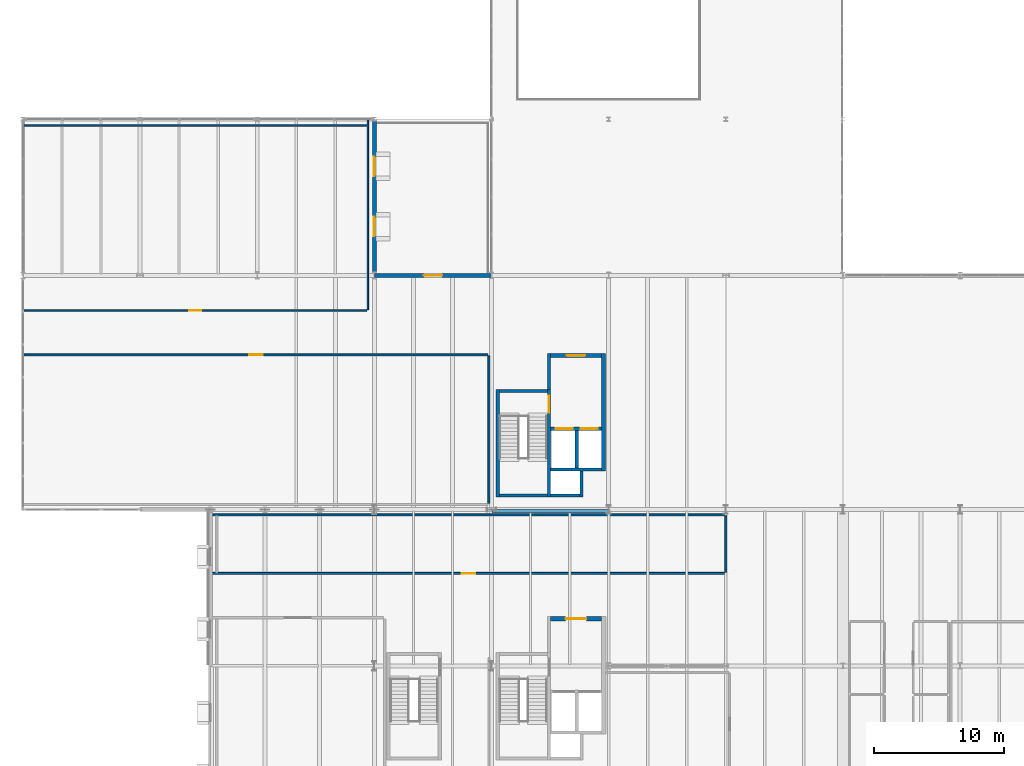
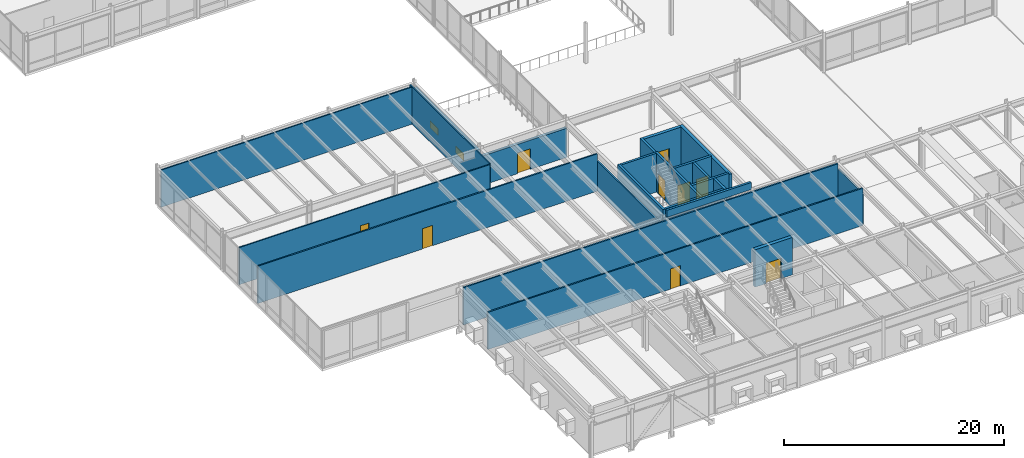
# One storey, part 104 of 115: 24 walls, 9 doors, 2 windows, 11 openings.
"""IFC4 building model written with IfcOpenShell, lengths in metres."""

from ifc_helpers import new_model, si_unit, direction, frame, frame_2d, origin, place, context, subcontext, project, spatial, rectangle, extrude, material, layer, layer_set, type_object, element, fill, save


model = new_model("IFC4")

# Units and contexts
model_context = context("Model", 3, precision=1e-05, world=origin(), true_north=direction((0.0, 1.0)))
body_context = subcontext(model_context, "Body", "Model", "MODEL_VIEW")
ifc_project = project(units=[si_unit("LENGTHUNIT", "METRE"), si_unit("AREAUNIT", "SQUARE_METRE"), si_unit("VOLUMEUNIT", "CUBIC_METRE"), si_unit("PLANEANGLEUNIT", "RADIAN"), si_unit("MASSUNIT", "GRAM", prefix="KILO")], contexts=[model_context])

# Site, building, storey
site_placement = place(None, origin())
site = spatial("IfcSite", under=ifc_project, at=site_placement, CompositionType="ELEMENT")
building_placement = place(site_placement, origin())
building = spatial("IfcBuilding", under=site, at=building_placement, Name="Montelvaro Courts of Justice", CompositionType="ELEMENT")
storey_placement = place(building_placement, frame((0.0, 0.0, 9.89990234375)))
storey = spatial("IfcBuildingStorey", under=building, at=storey_placement, Name="L02", CompositionType="ELEMENT", Elevation=9.89990234375)

# Wall, opening, door
ifc_material_1 = material(Name="Gypsum board on metal stud")
ifc_layer_1 = layer(ifc_material_1, 0.14990234375)
ifc_layer_set_1 = layer_set([ifc_layer_1], Name="Gypsum board on metal stud")
wall_type_1 = type_object("IfcWallType", Name="ChambersPartition_150", PredefinedType="PARTITIONING", material=ifc_layer_set_1)
wall_1_placement = place(storey_placement, frame((18.074951171875, 35.89990234375, 0.0), z_axis=(0.0, 0.0, 1.0), x_axis=(1.0, 0.0, 0.0)))
wall_1 = element("IfcWall", 1, at=wall_1_placement, inside=storey, type_object=wall_type_1, Name="Interior Partition IW-04 (L02)", PredefinedType="PARTITIONING", context=body_context, shape_type="SweptSolid", body=[
    extrude(rectangle(XDim=35.64501953125, YDim=0.14990234375, at=frame_2d((17.822509765625, 0.0))), origin(), (0.0, 0.0, 1.0), 4.14013671875),
])
opening_1_placement = place(wall_1_placement, frame((17.297119140625, 0.0, 0.0)))
opening_1 = element("IfcOpeningElement", 2, at=opening_1_placement, cuts=wall_1, Name="Opening D-L02-091", PredefinedType="OPENING", context=body_context, shape_type="SweptSolid", body=[
    extrude(rectangle(XDim=1.050048828125, YDim=2.25, at=frame_2d((0.52490234375, 1.125))), frame((0.0, 0.08984375, 0.0), z_axis=(0.0, -1.0, 0.0), x_axis=(1.0, 0.0, 0.0)), (0.0, 0.0, 1.0), 0.1796875),
])
ifc_material_2 = material(Name="Acoustic oak timber veneer", Category="wood")
door_type_1 = type_object("IfcDoorType", Name="ChamberDoor_105x225", OperationType="NOTDEFINED", PredefinedType="DOOR", material=ifc_material_2)
door_1_placement = place(opening_1_placement, frame((1.050048828125, 0.0, 0.0), z_axis=(0.0, 0.0, 1.0), x_axis=(-1.0, 0.0, 0.0)))
door_1 = element("IfcDoor", 3, at=door_1_placement, inside=storey, type_object=door_type_1, Name="Interior Door D-L02-091 (Law Library Rare Collections Room)", OperationType="SINGLE_SWING_LEFT", OverallHeight=2.25, OverallWidth=1.050048828125, PredefinedType="DOOR", context=body_context, shape_type="SweptSolid", body=[
    extrude(rectangle(XDim=1.050048828125, YDim=2.25, at=frame_2d((0.52490234375, 1.125))), frame((0.0, 0.02490234375, 0.0), z_axis=(0.0, -1.0, 0.0), x_axis=(1.0, 0.0, 0.0)), (0.0, 0.0, 1.0), 0.050048828125),
])
fill(opening_1, door_1)

# Walls
wall_2_placement = place(storey_placement, frame((53.800048828125, 35.820068359375, 0.0), z_axis=(0.0, 0.0, 1.0), x_axis=(0.0, -1.0, 0.0)))
element("IfcWall", 4, at=wall_2_placement, inside=storey, type_object=wall_type_1, Name="Interior Partition IW-04 (L02)", PredefinedType="PARTITIONING", context=body_context, shape_type="SweptSolid", body=[
    extrude(rectangle(XDim=11.340087890625, YDim=0.14990234375, at=frame_2d((5.669921875, 0.0))), origin(), (0.0, 0.0, 1.0), 3.35498046875),
])
wall_3_placement = place(storey_placement, frame((32.544921875, 23.60009765625, 0.0), z_axis=(0.0, 0.0, 1.0), x_axis=(1.0, 0.0, 0.0)))
element("IfcWall", 5, at=wall_3_placement, inside=storey, type_object=wall_type_1, Name="Interior Partition IW-04 (L02)", PredefinedType="PARTITIONING", context=body_context, shape_type="SweptSolid", body=[
    extrude(rectangle(XDim=39.375, YDim=0.14990234375, at=frame_2d((19.6875, 0.0))), origin(), (0.0, 0.0, 1.0), 4.14013671875),
])
wall_4_placement = place(storey_placement, frame((72.0, 23.52001953125, 0.0), z_axis=(0.0, 0.0, 1.0), x_axis=(0.0, -1.0, 0.0)))
element("IfcWall", 6, at=wall_4_placement, inside=storey, type_object=wall_type_1, Name="Interior Partition IW-04 (L02)", PredefinedType="PARTITIONING", context=body_context, shape_type="SweptSolid", body=[
    extrude(rectangle(XDim=4.340087890625, YDim=0.14990234375, at=frame_2d((2.169921875, 0.0))), origin(), (0.0, 0.0, 1.0), 3.5751953125),
])

# Wall, opening, door
wall_5_placement = place(storey_placement, frame((71.919921875, 19.10009765625, 0.0), z_axis=(0.0, 0.0, 1.0), x_axis=(-1.0, 0.0, 0.0)))
wall_5 = element("IfcWall", 7, at=wall_5_placement, inside=storey, type_object=wall_type_1, Name="Interior Partition IW-04 (L02)", PredefinedType="PARTITIONING", context=body_context, shape_type="SweptSolid", body=[
    extrude(rectangle(XDim=39.375, YDim=0.14990234375, at=frame_2d((19.6875, 0.0))), origin(), (0.0, 0.0, 1.0), 4.14013671875),
])
opening_2_placement = place(wall_5_placement, frame((19.1630859375, 0.0, 0.0)))
opening_2 = element("IfcOpeningElement", 8, at=opening_2_placement, cuts=wall_5, Name="Opening D-L02-098", PredefinedType="OPENING", context=body_context, shape_type="SweptSolid", body=[
    extrude(rectangle(XDim=1.050048828125, YDim=2.25, at=frame_2d((0.52490234375, 1.125))), frame((0.0, 0.08984375, 0.0), z_axis=(0.0, -1.0, 0.0), x_axis=(1.0, 0.0, 0.0)), (0.0, 0.0, 1.0), 0.1796875),
])
door_2_placement = place(opening_2_placement, origin())
door_2 = element("IfcDoor", 9, at=door_2_placement, inside=storey, type_object=door_type_1, Name="Interior Door D-L02-098 (Civil Clerks' Office West L02)", OperationType="SINGLE_SWING_LEFT", OverallHeight=2.25, OverallWidth=1.050048828125, PredefinedType="DOOR", context=body_context, shape_type="SweptSolid", body=[
    extrude(rectangle(XDim=1.050048828125, YDim=2.25, at=frame_2d((0.52490234375, 1.125))), frame((0.0, 0.02490234375, 0.0), z_axis=(0.0, -1.0, 0.0), x_axis=(1.0, 0.0, 0.0)), (0.0, 0.0, 1.0), 0.050048828125),
])
fill(opening_2, door_2)

ifc_material_3 = material(Name="Concrete C40/50", Category="concrete")
ifc_layer_2 = layer(ifc_material_3, 0.320068359375)
ifc_layer_set_2 = layer_set([ifc_layer_2], Name="Concrete C40/50")
wall_type_2 = type_object("IfcWallType", Name="CoreWall_320", PredefinedType="SHEAR", material=ifc_layer_set_2)
wall_6_placement = place(storey_placement, frame((58.5400390625, 35.840087890625, 0.0), z_axis=(0.0, 0.0, 1.0), x_axis=(1.0, 0.0, 0.0)))
wall_6 = element("IfcWall", 10, at=wall_6_placement, inside=storey, type_object=wall_type_2, Name="Core Shear Wall CW-02 K5-N (L02)", PredefinedType="SHEAR", context=body_context, shape_type="SweptSolid", body=[
    extrude(rectangle(XDim=3.89990234375, YDim=0.320068359375, at=frame_2d((1.949951171875, 0.0))), origin(), (0.0, 0.0, 1.0), 4.16015625),
])
opening_3_placement = place(wall_6_placement, frame((1.22509765625, 0.0, 0.0)))
opening_3 = element("IfcOpeningElement", 11, at=opening_3_placement, cuts=wall_6, Name="Opening DL-L02-K5", PredefinedType="OPENING", context=body_context, shape_type="SweptSolid", body=[
    extrude(rectangle(XDim=1.449951171875, YDim=2.199951171875, at=frame_2d((0.72509765625, 1.10009765625))), frame((0.0, 0.1748046875, 0.0), z_axis=(0.0, -1.0, 0.0), x_axis=(1.0, 0.0, 0.0)), (0.0, 0.0, 1.0), 0.349853515625),
])
ifc_material_4 = material(Name="Galvanised steel S355 security door", Category="steel")
door_type_2 = type_object("IfcDoorType", Name="LobbyFireDoor_145x220", OperationType="DOUBLE_DOOR_SINGLE_SWING", PredefinedType="DOOR", material=ifc_material_4)
door_3_placement = place(opening_3_placement, origin())
door_3 = element("IfcDoor", 12, at=door_3_placement, inside=storey, type_object=door_type_2, Name="Core Lobby Fire Door DL-L02-K5", OperationType="DOUBLE_DOOR_SINGLE_SWING", OverallHeight=2.199951171875, OverallWidth=1.449951171875, PredefinedType="DOOR", context=body_context, shape_type="SweptSolid", body=[
    extrude(rectangle(XDim=1.449951171875, YDim=2.199951171875, at=frame_2d((0.72509765625, 1.10009765625))), frame((0.0, 0.02490234375, 0.0), z_axis=(0.0, -1.0, 0.0), x_axis=(1.0, 0.0, 0.0)), (0.0, 0.0, 1.0), 0.050048828125),
])
fill(opening_3, door_3)

# Wall
wall_7_placement = place(storey_placement, frame((62.60009765625, 26.9599609375, 0.0), z_axis=(0.0, 0.0, 1.0), x_axis=(0.0, 1.0, 0.0)))
element("IfcWall", 13, at=wall_7_placement, inside=storey, type_object=wall_type_2, Name="Core Shear Wall CW-02 K5-E (L02)", PredefinedType="SHEAR", context=body_context, shape_type="SweptSolid", body=[
    extrude(rectangle(XDim=9.0400390625, YDim=0.320068359375, at=frame_2d((4.52001953125, 0.0))), origin(), (0.0, 0.0, 1.0), 4.16015625),
])

# Wall, opening, door
ifc_layer_3 = layer(ifc_material_3, 0.360107421875)
ifc_layer_set_3 = layer_set([ifc_layer_3], Name="Concrete C40/50")
wall_type_3 = type_object("IfcWallType", Name="CoreWall_360", PredefinedType="SHEAR", material=ifc_layer_set_3)
wall_8_placement = place(storey_placement, frame((58.5400390625, 15.6201171875, 0.0), z_axis=(0.0, 0.0, 1.0), x_axis=(1.0, 0.0, 0.0)))
wall_8 = element("IfcWall", 14, at=wall_8_placement, inside=storey, type_object=wall_type_3, Name="Core Shear Wall CW-01 K1-N (L02)", PredefinedType="SHEAR", context=body_context, shape_type="SweptSolid", body=[
    extrude(rectangle(XDim=3.89990234375, YDim=0.360107421875, at=frame_2d((1.949951171875, 0.0))), origin(), (0.0, 0.0, 1.0), 4.16015625),
])
opening_4_placement = place(wall_8_placement, frame((1.14990234375, 0.0, 0.0)))
opening_4 = element("IfcOpeningElement", 15, at=opening_4_placement, cuts=wall_8, Name="Opening DL-L02-K1", PredefinedType="OPENING", context=body_context, shape_type="SweptSolid", body=[
    extrude(rectangle(XDim=1.60009765625, YDim=2.25, at=frame_2d((0.800048828125, 1.125))), frame((0.0, 0.19482421875, 0.0), z_axis=(0.0, -1.0, 0.0), x_axis=(1.0, 0.0, 0.0)), (0.0, 0.0, 1.0), 0.389892578125),
])
door_type_3 = type_object("IfcDoorType", Name="LobbyFireDoor_160x225", OperationType="DOUBLE_DOOR_SINGLE_SWING", PredefinedType="DOOR", material=ifc_material_4)
door_4_placement = place(opening_4_placement, origin())
door_4 = element("IfcDoor", 16, at=door_4_placement, inside=storey, type_object=door_type_3, Name="Core Lobby Fire Door DL-L02-K1", OperationType="DOUBLE_DOOR_SINGLE_SWING", OverallHeight=2.25, OverallWidth=1.60009765625, PredefinedType="DOOR", context=body_context, shape_type="SweptSolid", body=[
    extrude(rectangle(XDim=1.60009765625, YDim=2.25, at=frame_2d((0.800048828125, 1.125))), frame((0.0, 0.02490234375, 0.0), z_axis=(0.0, -1.0, 0.0), x_axis=(1.0, 0.0, 0.0)), (0.0, 0.0, 1.0), 0.050048828125),
])
fill(opening_4, door_4)

ifc_material_5 = material(Name="White mineral precast concrete C45/55", Category="concrete")
ifc_layer_4 = layer(ifc_material_5, 0.300048828125)
ifc_layer_set_4 = layer_set([ifc_layer_4], Name="White mineral precast concrete C45/55")
wall_type_4 = type_object("IfcWallType", Name="ExtWall_GFRC_300", PredefinedType="SOLIDWALL", material=ifc_layer_set_4)
wall_9_placement = place(storey_placement, frame((53.991943359375, 42.0, 0.0), z_axis=(0.0, 0.0, 1.0), x_axis=(-1.0, 0.0, 0.0)))
wall_9 = element("IfcWall", 17, at=wall_9_placement, inside=storey, type_object=wall_type_4, Name="Exterior Facade Wall EW-02 (L02)", PredefinedType="SOLIDWALL", context=body_context, shape_type="SweptSolid", body=[
    extrude(rectangle(XDim=8.98388671875, YDim=0.300048828125, at=frame_2d((4.491943359375, 0.0))), origin(), (0.0, 0.0, 1.0), 3.255126953125),
])
opening_5_placement = place(wall_9_placement, frame((3.7919921875, 0.0, 0.0)))
opening_5 = element("IfcOpeningElement", 18, at=opening_5_placement, cuts=wall_9, Name="Opening DT-L02-02", PredefinedType="OPENING", context=body_context, shape_type="SweptSolid", body=[
    extrude(rectangle(XDim=1.39990234375, YDim=2.300048828125, at=frame_2d((0.699951171875, 1.14990234375))), frame((0.0, 0.1650390625, 0.0), z_axis=(0.0, -1.0, 0.0), x_axis=(1.0, 0.0, 0.0)), (0.0, 0.0, 1.0), 0.329833984375),
])
ifc_material_6 = material(Name="Anodised aluminium and laminated safety glass", Category="aluminium")
door_type_4 = type_object("IfcDoorType", Name="ExtDoor_Ter_140x230", OperationType="DOUBLE_DOOR_SINGLE_SWING", PredefinedType="DOOR", material=ifc_material_6)
door_5_placement = place(opening_5_placement, frame((1.39990234375, 0.0, 0.0), z_axis=(0.0, 0.0, 1.0), x_axis=(-1.0, 0.0, 0.0)))
door_5 = element("IfcDoor", 19, at=door_5_placement, inside=storey, type_object=door_type_4, Name="Terrace Access Door DT-L02-02", OperationType="DOUBLE_DOOR_SINGLE_SWING", OverallHeight=2.300048828125, OverallWidth=1.39990234375, PredefinedType="DOOR", context=body_context, shape_type="SweptSolid", body=[
    extrude(rectangle(XDim=1.39990234375, YDim=2.300048828125, at=frame_2d((0.699951171875, 1.14990234375))), frame((0.0, 0.02490234375, 0.0), z_axis=(0.0, -1.0, 0.0), x_axis=(1.0, 0.0, 0.0)), (0.0, 0.0, 1.0), 0.050048828125),
])
fill(opening_5, door_5)

# Wall, openings, windows
wall_10_placement = place(storey_placement, frame((45.0, 42.27294921875, 0.0), z_axis=(0.0, 0.0, 1.0), x_axis=(0.0, 1.0, 0.0)))
wall_10 = element("IfcWall", 20, at=wall_10_placement, inside=storey, type_object=wall_type_4, Name="Exterior Facade Wall EW-02 (L02)", PredefinedType="SOLIDWALL", context=body_context, shape_type="SweptSolid", body=[
    extrude(rectangle(XDim=11.5791015625, YDim=0.300048828125, at=frame_2d((5.78955078125, 0.0))), origin(), (0.0, 0.0, 1.0), 3.715087890625),
])
opening_6_placement = place(wall_10_placement, frame((2.72412109375, 0.0, 0.85009765625)))
opening_6 = element("IfcOpeningElement", 21, at=opening_6_placement, cuts=wall_10, Name="Opening WE-29", PredefinedType="OPENING", context=body_context, shape_type="SweptSolid", body=[
    extrude(rectangle(XDim=1.5, YDim=0.75, at=frame_2d((0.75, 0.375))), frame((0.0, 0.1650390625, 0.0), z_axis=(0.0, -1.0, 0.0), x_axis=(1.0, 0.0, 0.0)), (0.0, 0.0, 1.0), 0.329833984375),
])
opening_7_placement = place(wall_10_placement, frame((7.35498046875, 0.0, 0.85009765625)))
opening_7 = element("IfcOpeningElement", 22, at=opening_7_placement, cuts=wall_10, Name="Opening WE-29", PredefinedType="OPENING", context=body_context, shape_type="SweptSolid", body=[
    extrude(rectangle(XDim=1.5, YDim=0.75, at=frame_2d((0.75, 0.375))), frame((0.0, 0.1650390625, 0.0), z_axis=(0.0, -1.0, 0.0), x_axis=(1.0, 0.0, 0.0)), (0.0, 0.0, 1.0), 0.329833984375),
])
ifc_material_7 = material(Name="Low-E solar control double glazing", Category="glass")
window_type = type_object("IfcWindowType", Name="Win_Slot_150x075", PartitioningType="SINGLE_PANEL", PredefinedType="WINDOW", material=ifc_material_7)
window_1_placement = place(opening_6_placement, origin())
window_1 = element("IfcWindow", 23, at=window_1_placement, inside=storey, type_object=window_type, Name="Window W-L02-107", OverallHeight=0.75, OverallWidth=1.5, PartitioningType="SINGLE_PANEL", PredefinedType="WINDOW", context=body_context, shape_type="SweptSolid", body=[
    extrude(rectangle(XDim=1.5, YDim=0.75, at=frame_2d((0.75, 0.375))), frame((0.0, 0.030029296875, 0.0), z_axis=(0.0, -1.0, 0.0), x_axis=(1.0, 0.0, 0.0)), (0.0, 0.0, 1.0), 0.06005859375),
])
fill(opening_6, window_1)
window_2_placement = place(opening_7_placement, origin())
window_2 = element("IfcWindow", 24, at=window_2_placement, inside=storey, type_object=window_type, Name="Window W-L02-108", OverallHeight=0.75, OverallWidth=1.5, PartitioningType="SINGLE_PANEL", PredefinedType="WINDOW", context=body_context, shape_type="SweptSolid", body=[
    extrude(rectangle(XDim=1.5, YDim=0.75, at=frame_2d((0.75, 0.375))), frame((0.0, 0.030029296875, 0.0), z_axis=(0.0, -1.0, 0.0), x_axis=(1.0, 0.0, 0.0)), (0.0, 0.0, 1.0), 0.06005859375),
])
fill(opening_7, window_2)

# Wall
ifc_layer_5 = layer(ifc_material_1, 0.1201171875)
ifc_layer_set_5 = layer_set([ifc_layer_5], Name="Gypsum board on metal stud")
wall_type_5 = type_object("IfcWallType", Name="OfficePartition_120", PredefinedType="PARTITIONING", material=ifc_layer_set_5)
wall_11_placement = place(storey_placement, frame((44.5, 53.925048828125, 0.0), z_axis=(0.0, 0.0, 1.0), x_axis=(0.0, -1.0, 0.0)))
element("IfcWall", 25, at=wall_11_placement, inside=storey, type_object=wall_type_5, Name="Interior Partition IW-05 (L02)", PredefinedType="PARTITIONING", context=body_context, shape_type="SweptSolid", body=[
    extrude(rectangle(XDim=14.545166015625, YDim=0.1201171875, at=frame_2d((7.2724609375, 0.0))), origin(), (0.0, 0.0, 1.0), 4.14013671875),
])

# Wall, opening, door
wall_12_placement = place(storey_placement, frame((44.419921875, 39.300048828125, 0.0), z_axis=(0.0, 0.0, 1.0), x_axis=(-1.0, 0.0, 0.0)))
wall_12 = element("IfcWall", 26, at=wall_12_placement, inside=storey, type_object=wall_type_5, Name="Interior Partition IW-05 (L02)", PredefinedType="PARTITIONING", context=body_context, shape_type="SweptSolid", body=[
    extrude(rectangle(XDim=26.344970703125, YDim=0.1201171875, at=frame_2d((13.17236328125, 0.0))), origin(), (0.0, 0.0, 1.0), 4.14013671875),
])
opening_8_placement = place(wall_12_placement, frame((12.722900390625, 0.0, 0.0)))
opening_8 = element("IfcOpeningElement", 27, at=opening_8_placement, cuts=wall_12, Name="Opening D-L02-092", PredefinedType="OPENING", context=body_context, shape_type="SweptSolid", body=[
    extrude(rectangle(XDim=0.89990234375, YDim=2.10009765625, at=frame_2d((0.449951171875, 1.050048828125))), frame((0.0, 0.074951171875, 0.0), z_axis=(0.0, -1.0, 0.0), x_axis=(1.0, 0.0, 0.0)), (0.0, 0.0, 1.0), 0.14990234375),
])
door_type_5 = type_object("IfcDoorType", Name="OfficeDoor_090x210", OperationType="NOTDEFINED", PredefinedType="DOOR", material=ifc_material_2)
door_6_placement = place(opening_8_placement, origin())
door_6 = element("IfcDoor", 28, at=door_6_placement, inside=storey, type_object=door_type_5, Name="Interior Door D-L02-092 (Judicial Study Carrels Hall)", OperationType="SINGLE_SWING_RIGHT", OverallHeight=2.10009765625, OverallWidth=0.89990234375, PredefinedType="DOOR", context=body_context, shape_type="SweptSolid", body=[
    extrude(rectangle(XDim=0.89990234375, YDim=2.10009765625, at=frame_2d((0.449951171875, 1.050048828125))), frame((0.0, 0.02490234375, 0.0), z_axis=(0.0, -1.0, 0.0), x_axis=(1.0, 0.0, 0.0)), (0.0, 0.0, 1.0), 0.050048828125),
])
fill(opening_8, door_6)

# Walls
wall_13_placement = place(storey_placement, frame((18.074951171875, 53.5, 0.0), z_axis=(0.0, 0.0, 1.0), x_axis=(1.0, 0.0, 0.0)))
element("IfcWall", 29, at=wall_13_placement, inside=storey, type_object=wall_type_5, Name="Interior Partition IW-05 (L02)", PredefinedType="PARTITIONING", context=body_context, shape_type="SweptSolid", body=[
    extrude(rectangle(XDim=26.3701171875, YDim=0.1201171875, at=frame_2d((13.18505859375, 0.0))), origin(), (0.0, 0.0, 1.0), 4.14013671875),
])
ifc_layer_6 = layer(ifc_material_5, 0.239990234375)
ifc_layer_set_6 = layer_set([ifc_layer_6], Name="White mineral precast concrete C45/55")
wall_type_6 = type_object("IfcWallType", Name="ParapetWall_240", PredefinedType="PARAPET", material=ifc_layer_set_6)
wall_14_placement = place(storey_placement, frame((54.06005859375, 23.8798828125, 4.280029296875), z_axis=(0.0, 0.0, 1.0), x_axis=(1.0, 0.0, 0.0)))
element("IfcWall", 30, at=wall_14_placement, inside=storey, type_object=wall_type_6, Name="Roof Parapet PW-01 L02-019", PredefinedType="PARAPET", context=body_context, shape_type="SweptSolid", body=[
    extrude(rectangle(XDim=8.8798828125, YDim=0.239990234375, at=frame_2d((4.43994140625, 0.0))), origin(), (0.0, 0.0, 1.0), 0.77001953125),
])
ifc_material_8 = material(Name="Concrete C35/45", Category="concrete")
ifc_layer_7 = layer(ifc_material_8, 0.239990234375)
ifc_layer_set_7 = layer_set([ifc_layer_7], Name="Concrete C35/45")
wall_type_7 = type_object("IfcWallType", Name="ShaftWall_240", PredefinedType="SHEAR", material=ifc_layer_set_7)
wall_15_placement = place(storey_placement, frame((54.47998046875, 24.9599609375, 0.0), z_axis=(0.0, 0.0, 1.0), x_axis=(0.0, 1.0, 0.0)))
element("IfcWall", 31, at=wall_15_placement, inside=storey, type_object=wall_type_7, Name="Protected Stair Structural Wall ST-W1-W (L02)", PredefinedType="SHEAR", context=body_context, shape_type="SweptSolid", body=[
    extrude(rectangle(XDim=8.280029296875, YDim=0.239990234375, at=frame_2d((4.14013671875, 0.0))), origin(), (0.0, 0.0, 1.0), 4.31005859375),
])

# Wall, opening, door
wall_16_placement = place(storey_placement, frame((58.419921875, 24.9599609375, 0.0), z_axis=(0.0, 0.0, 1.0), x_axis=(0.0, 1.0, 0.0)))
wall_16 = element("IfcWall", 32, at=wall_16_placement, inside=storey, type_object=wall_type_7, Name="Protected Stair Structural Wall ST-W1-E (L02)", PredefinedType="SHEAR", context=body_context, shape_type="SweptSolid", body=[
    extrude(rectangle(XDim=8.280029296875, YDim=0.239990234375, at=frame_2d((4.14013671875, 0.0))), origin(), (0.0, 0.0, 1.0), 4.31005859375),
])
opening_9_placement = place(wall_16_placement, frame((6.489990234375, 0.0, 0.0)))
opening_9 = element("IfcOpeningElement", 33, at=opening_9_placement, cuts=wall_16, Name="Opening DS-L02-K5", PredefinedType="OPENING", context=body_context, shape_type="SweptSolid", body=[
    extrude(rectangle(XDim=1.300048828125, YDim=2.199951171875, at=frame_2d((0.64990234375, 1.10009765625))), frame((0.0, 0.134765625, 0.0), z_axis=(0.0, -1.0, 0.0), x_axis=(1.0, 0.0, 0.0)), (0.0, 0.0, 1.0), 0.269775390625),
])
door_type_6 = type_object("IfcDoorType", Name="StairFireDoor_130x220", OperationType="NOTDEFINED", PredefinedType="DOOR", material=ifc_material_4)
door_7_placement = place(opening_9_placement, frame((1.300048828125, 0.0, 0.0), z_axis=(0.0, 0.0, 1.0), x_axis=(-1.0, 0.0, 0.0)))
door_7 = element("IfcDoor", 34, at=door_7_placement, inside=storey, type_object=door_type_6, Name="Protected Stair Fire Door DS-L02-K5", OperationType="SINGLE_SWING_RIGHT", OverallHeight=2.199951171875, OverallWidth=1.300048828125, PredefinedType="DOOR", context=body_context, shape_type="SweptSolid", body=[
    extrude(rectangle(XDim=1.300048828125, YDim=2.199951171875, at=frame_2d((0.64990234375, 1.10009765625))), frame((0.0, 0.02490234375, 0.0), z_axis=(0.0, -1.0, 0.0), x_axis=(1.0, 0.0, 0.0)), (0.0, 0.0, 1.0), 0.050048828125),
])
fill(opening_9, door_7)

# Walls
for number, where, z_axis, x_axis, name in (
    (35, (54.60009765625, 25.080078125, 0.0), (0.0, 0.0, 1.0), (1.0, 0.0, 0.0), "Protected Stair Structural Wall ST-W1-S (L02)"),
    (36, (54.60009765625, 33.1201171875, 0.0), (0.0, 0.0, 1.0), (1.0, 0.0, 0.0), "Protected Stair Structural Wall ST-W1-N (L02)"),
):
    element("IfcWall", number, at=place(storey_placement, frame(where, z_axis=z_axis, x_axis=x_axis)), inside=storey, type_object=wall_type_7, Name=name, PredefinedType="SHEAR", context=body_context, shape_type="SweptSolid", body=[
        extrude(rectangle(XDim=3.699951171875, YDim=0.239990234375, at=frame_2d((1.85009765625, 0.0))), origin(), (0.0, 0.0, 1.0), 4.31005859375),
    ])
wall_17_placement = place(storey_placement, frame((58.419921875, 33.239990234375, 0.0), z_axis=(0.0, 0.0, 1.0), x_axis=(0.0, 1.0, 0.0)))
element("IfcWall", 37, at=wall_17_placement, inside=storey, type_object=wall_type_7, Name="Core Lobby Structural Wall K5-W (L02)", PredefinedType="SHEAR", context=body_context, shape_type="SweptSolid", body=[
    extrude(rectangle(XDim=2.760009765625, YDim=0.239990234375, at=frame_2d((1.3798828125, 0.0))), origin(), (0.0, 0.0, 1.0), 4.16015625),
])

# Wall, openings, doors
wall_18_placement = place(storey_placement, frame((58.5400390625, 30.219970703125, 0.0), z_axis=(0.0, 0.0, 1.0), x_axis=(1.0, 0.0, 0.0)))
wall_18 = element("IfcWall", 38, at=wall_18_placement, inside=storey, type_object=wall_type_7, Name="Lift Shaft Bank Wall K5 (L02)", PredefinedType="SHEAR", context=body_context, shape_type="SweptSolid", body=[
    extrude(rectangle(XDim=3.89990234375, YDim=0.239990234375, at=frame_2d((1.949951171875, 0.0))), origin(), (0.0, 0.0, 1.0), 4.31005859375),
])
opening_10_placement = place(wall_18_placement, frame((0.385009765625, 0.0, 0.0)))
opening_10 = element("IfcOpeningElement", 39, at=opening_10_placement, cuts=wall_18, Name="Opening LD-LP-03-L02", PredefinedType="OPENING", context=body_context, shape_type="SweptSolid", body=[
    extrude(rectangle(XDim=1.300048828125, YDim=2.199951171875, at=frame_2d((0.64990234375, 1.10009765625))), frame((0.0, 0.134765625, 0.0), z_axis=(0.0, -1.0, 0.0), x_axis=(1.0, 0.0, 0.0)), (0.0, 0.0, 1.0), 0.269775390625),
])
opening_11_placement = place(wall_18_placement, frame((2.3349609375, 0.0, 0.0)))
opening_11 = element("IfcOpeningElement", 40, at=opening_11_placement, cuts=wall_18, Name="Opening LD-LJ-03-L02", PredefinedType="OPENING", context=body_context, shape_type="SweptSolid", body=[
    extrude(rectangle(XDim=1.300048828125, YDim=2.199951171875, at=frame_2d((0.64990234375, 1.10009765625))), frame((0.0, 0.134765625, 0.0), z_axis=(0.0, -1.0, 0.0), x_axis=(1.0, 0.0, 0.0)), (0.0, 0.0, 1.0), 0.269775390625),
])
door_type_7 = type_object("IfcDoorType", Name="LiftDoor_130x220", OperationType="DOUBLE_DOOR_SLIDING", PredefinedType="DOOR", material=ifc_material_4)
door_8_placement = place(opening_10_placement, origin())
door_8 = element("IfcDoor", 41, at=door_8_placement, inside=storey, type_object=door_type_7, Name="Lift Landing Sliding Door LD-LP-03-L02", OperationType="DOUBLE_DOOR_SLIDING", OverallHeight=2.199951171875, OverallWidth=1.300048828125, PredefinedType="DOOR", context=body_context, shape_type="SweptSolid", body=[
    extrude(rectangle(XDim=1.300048828125, YDim=2.199951171875, at=frame_2d((0.64990234375, 1.10009765625))), frame((0.0, 0.02490234375, 0.0), z_axis=(0.0, -1.0, 0.0), x_axis=(1.0, 0.0, 0.0)), (0.0, 0.0, 1.0), 0.050048828125),
])
fill(opening_10, door_8)
door_9_placement = place(opening_11_placement, origin())
door_9 = element("IfcDoor", 42, at=door_9_placement, inside=storey, type_object=door_type_7, Name="Lift Landing Sliding Door LD-LJ-03-L02", OperationType="DOUBLE_DOOR_SLIDING", OverallHeight=2.199951171875, OverallWidth=1.300048828125, PredefinedType="DOOR", context=body_context, shape_type="SweptSolid", body=[
    extrude(rectangle(XDim=1.300048828125, YDim=2.199951171875, at=frame_2d((0.64990234375, 1.10009765625))), frame((0.0, 0.02490234375, 0.0), z_axis=(0.0, -1.0, 0.0), x_axis=(1.0, 0.0, 0.0)), (0.0, 0.0, 1.0), 0.050048828125),
])
fill(opening_11, door_9)

# Walls
wall_19_placement = place(storey_placement, frame((58.5400390625, 27.080078125, 0.0), z_axis=(0.0, 0.0, 1.0), x_axis=(1.0, 0.0, 0.0)))
element("IfcWall", 43, at=wall_19_placement, inside=storey, type_object=wall_type_7, Name="Lift Shaft Back Wall K5 (L02)", PredefinedType="SHEAR", context=body_context, shape_type="SweptSolid", body=[
    extrude(rectangle(XDim=3.89990234375, YDim=0.239990234375, at=frame_2d((1.949951171875, 0.0))), origin(), (0.0, 0.0, 1.0), 4.31005859375),
])
wall_20_placement = place(storey_placement, frame((60.550048828125, 27.199951171875, 0.0), z_axis=(0.0, 0.0, 1.0), x_axis=(0.0, 1.0, 0.0)))
element("IfcWall", 44, at=wall_20_placement, inside=storey, type_object=wall_type_7, Name="Lift Shaft Divider Wall K5-LFD1 (L02)", PredefinedType="SHEAR", context=body_context, shape_type="SweptSolid", body=[
    extrude(rectangle(XDim=2.900146484375, YDim=0.239990234375, at=frame_2d((1.4501953125, 0.0))), origin(), (0.0, 0.0, 1.0), 4.31005859375),
])
wall_21_placement = place(storey_placement, frame((60.919921875, 24.9599609375, 0.0), z_axis=(0.0, 0.0, 1.0), x_axis=(0.0, 1.0, 0.0)))
element("IfcWall", 45, at=wall_21_placement, inside=storey, type_object=wall_type_7, Name="Service Riser East Shaft Wall K5 (L02)", PredefinedType="SHEAR", context=body_context, shape_type="SweptSolid", body=[
    extrude(rectangle(XDim=2.0, YDim=0.239990234375, at=frame_2d((1.0, 0.0))), origin(), (0.0, 0.0, 1.0), 4.31005859375),
])
wall_22_placement = place(storey_placement, frame((58.5400390625, 25.080078125, 0.0), z_axis=(0.0, 0.0, 1.0), x_axis=(1.0, 0.0, 0.0)))
element("IfcWall", 46, at=wall_22_placement, inside=storey, type_object=wall_type_7, Name="Service Riser South Shaft Wall K5 (L02)", PredefinedType="SHEAR", context=body_context, shape_type="SweptSolid", body=[
    extrude(rectangle(XDim=2.260009765625, YDim=0.239990234375, at=frame_2d((1.1298828125, 0.0))), origin(), (0.0, 0.0, 1.0), 4.31005859375),
])

save(model, "model.ifc")
